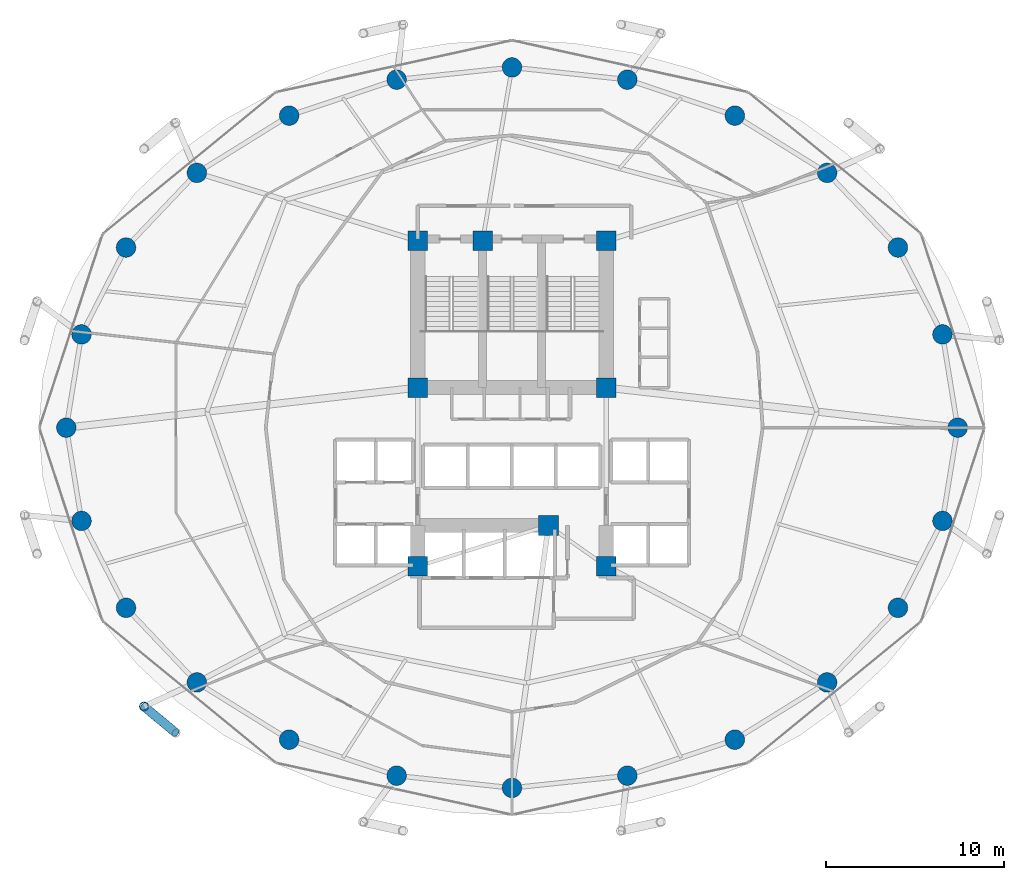
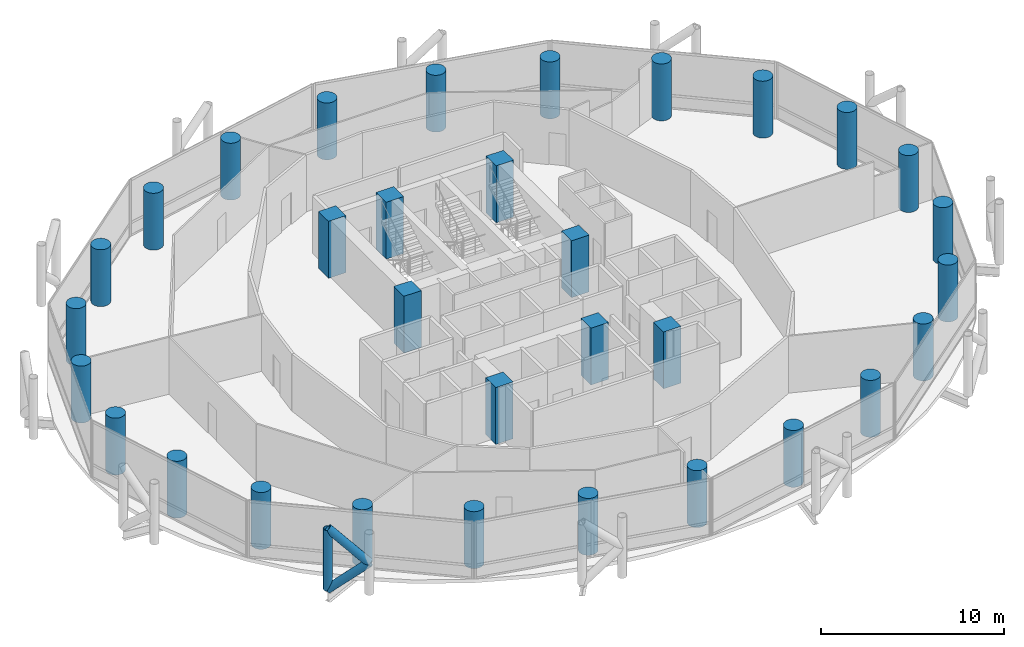
# One storey, part 1 of 25: 32 columns, 3 members.
"""IFC4 building model written with IfcOpenShell, lengths in metres."""

from ifc_helpers import new_model, si_unit, direction, frame, origin, origin_2d, place, context, subcontext, project, spatial, rectangle, circle, hollow_circle, extrude, material, material_profile, profile_set, type_object, element, save


model = new_model("IFC4")

# Units and contexts
model_context = context("Model", 3, precision=1e-05, world=origin(), true_north=direction((0.0, 1.0)))
body_context = subcontext(model_context, "Body", "Model", "MODEL_VIEW")
ifc_project = project(units=[si_unit("LENGTHUNIT", "METRE"), si_unit("AREAUNIT", "SQUARE_METRE"), si_unit("VOLUMEUNIT", "CUBIC_METRE"), si_unit("PLANEANGLEUNIT", "RADIAN"), si_unit("MASSUNIT", "GRAM", prefix="KILO")], contexts=[model_context])

# Site, building, storey
site_placement = place(None, origin())
site = spatial("IfcSite", under=ifc_project, at=site_placement, CompositionType="ELEMENT")
building_placement = place(site_placement, origin())
building = spatial("IfcBuilding", under=site, at=building_placement, Name="Nuhasar Tower", CompositionType="ELEMENT")
storey_placement = place(building_placement, frame((0.0, 0.0, 61.5)))
storey = spatial("IfcBuildingStorey", under=building, at=storey_placement, Name="L14", CompositionType="ELEMENT", Elevation=61.5)

# Columns
ifc_material_1 = material(Name="Concrete C80/95", Category="concrete")
ifc_material_profile_1 = material_profile(ifc_material_1, circle(Radius=0.550048828125, at=origin_2d()), Name="CFT1100")
ifc_profile_set_1 = profile_set([ifc_material_profile_1], Name="Concrete C80/95")
column_type_1 = type_object("IfcColumnType", Name="COL-CFT-1100", PredefinedType="COLUMN", material=ifc_profile_set_1)
for number, where, z_axis, x_axis, name in (
    (1, (64.050048828125, 26.800048828125, 0.0), (0.0, 0.0, 1.0), (1.0, 0.0, 0.0), "L14 Perimeter Composite Column TC-01"),
    (2, (63.196044921875, 32.041015625, 0.0), (0.0, 0.0, 1.0), (1.0, 0.0, 0.0), "L14 Perimeter Composite Column TC-02"),
    (3, (60.694091796875, 36.925048828125, 0.0), (0.0, 0.0, 1.0), (1.0, 0.0, 0.0), "L14 Perimeter Composite Column TC-03"),
    (4, (56.712890625, 41.118896484375, 0.0), (0.0, 0.0, 1.0), (1.0, 0.0, 0.0), "L14 Perimeter Composite Column TC-04"),
    (5, (51.52490234375, 44.3369140625, 0.0), (0.0, 0.0, 1.0), (1.0, 0.0, 0.0), "L14 Perimeter Composite Column TC-05"),
    (6, (45.48291015625, 46.360107421875, 0.0), (0.0, 0.0, 1.0), (1.0, 0.0, 0.0), "L14 Perimeter Composite Column TC-06"),
    (7, (39.0, 47.050048828125, 0.0), (0.0, 0.0, 1.0), (1.0, 0.0, 0.0), "L14 Perimeter Composite Column TC-07"),
    (8, (32.51708984375, 46.360107421875, 0.0), (0.0, 0.0, 1.0), (1.0, 0.0, 0.0), "L14 Perimeter Composite Column TC-08"),
    (9, (26.47509765625, 44.3369140625, 0.0), (0.0, 0.0, 1.0), (1.0, 0.0, 0.0), "L14 Perimeter Composite Column TC-09"),
    (10, (21.287109375, 41.118896484375, 0.0), (0.0, 0.0, 1.0), (1.0, 0.0, 0.0), "L14 Perimeter Composite Column TC-10"),
    (11, (17.305908203125, 36.925048828125, 0.0), (0.0, 0.0, 1.0), (1.0, 0.0, 0.0), "L14 Perimeter Composite Column TC-11"),
    (12, (14.803955078125, 32.041015625, 0.0), (0.0, 0.0, 1.0), (1.0, 0.0, 0.0), "L14 Perimeter Composite Column TC-12"),
    (13, (13.949951171875, 26.800048828125, 0.0), (0.0, 0.0, 1.0), (1.0, 0.0, 0.0), "L14 Perimeter Composite Column TC-13"),
    (14, (14.803955078125, 21.55908203125, 0.0), (0.0, 0.0, 1.0), (1.0, 0.0, 0.0), "L14 Perimeter Composite Column TC-14"),
    (15, (17.305908203125, 16.675048828125, 0.0), (0.0, 0.0, 1.0), (1.0, 0.0, 0.0), "L14 Perimeter Composite Column TC-15"),
    (16, (21.287109375, 12.48095703125, 0.0), (0.0, 0.0, 1.0), (1.0, 0.0, 0.0), "L14 Perimeter Composite Column TC-16"),
    (17, (26.47509765625, 9.262939453125, 0.0), (0.0, 0.0, 1.0), (1.0, 0.0, 0.0), "L14 Perimeter Composite Column TC-17"),
    (18, (32.51708984375, 7.239990234375, 0.0), (0.0, 0.0, 1.0), (1.0, 0.0, 0.0), "L14 Perimeter Composite Column TC-18"),
    (19, (39.0, 6.550048828125, 0.0), (0.0, 0.0, 1.0), (1.0, 0.0, 0.0), "L14 Perimeter Composite Column TC-19"),
    (20, (45.48291015625, 7.239990234375, 0.0), (0.0, 0.0, 1.0), (1.0, 0.0, 0.0), "L14 Perimeter Composite Column TC-20"),
    (21, (51.52490234375, 9.262939453125, 0.0), (0.0, 0.0, 1.0), (1.0, 0.0, 0.0), "L14 Perimeter Composite Column TC-21"),
    (22, (56.712890625, 12.48095703125, 0.0), (0.0, 0.0, 1.0), (1.0, 0.0, 0.0), "L14 Perimeter Composite Column TC-22"),
    (23, (60.694091796875, 16.675048828125, 0.0), (0.0, 0.0, 1.0), (1.0, 0.0, 0.0), "L14 Perimeter Composite Column TC-23"),
    (24, (63.196044921875, 21.55908203125, 0.0), (0.0, 0.0, 1.0), (1.0, 0.0, 0.0), "L14 Perimeter Composite Column TC-24"),
):
    element("IfcColumn", number, at=place(storey_placement, frame(where, z_axis=z_axis, x_axis=x_axis)), inside=storey, type_object=column_type_1, Name=name, PredefinedType="COLUMN", context=body_context, shape_type="SweptSolid", body=[
        extrude(circle(Radius=0.550048828125, at=origin_2d()), origin(), (0.0, 0.0, 1.0), 3.800048828125),
    ])
ifc_material_profile_2 = material_profile(ifc_material_1, rectangle(XDim=1.10009765625, YDim=1.10009765625, at=origin_2d()), Name="RC1100X1100")
ifc_profile_set_2 = profile_set([ifc_material_profile_2], Name="Concrete C80/95")
column_type_2 = type_object("IfcColumnType", Name="PIL-RC-1100", PredefinedType="PILASTER", material=ifc_profile_set_2)
for number, where, z_axis, x_axis, name in (
    (25, (33.699951171875, 19.0, 0.0), (0.0, 0.0, 1.0), (1.0, 0.0, 0.0), "L14 Core Boundary Pilaster CC-01"),
    (26, (41.050048828125, 21.300048828125, 0.0), (0.0, 0.0, 1.0), (1.0, 0.0, 0.0), "L14 Core Boundary Pilaster CC-02"),
    (27, (44.300048828125, 19.0, 0.0), (0.0, 0.0, 1.0), (1.0, 0.0, 0.0), "L14 Core Boundary Pilaster CC-03"),
    (28, (44.300048828125, 29.050048828125, 0.0), (0.0, 0.0, 1.0), (1.0, 0.0, 0.0), "L14 Core Boundary Pilaster CC-04"),
    (29, (44.300048828125, 37.300048828125, 0.0), (0.0, 0.0, 1.0), (1.0, 0.0, 0.0), "L14 Core Boundary Pilaster CC-05"),
    (30, (37.35009765625, 37.300048828125, 0.0), (0.0, 0.0, 1.0), (1.0, 0.0, 0.0), "L14 Core Boundary Pilaster CC-06"),
    (31, (33.699951171875, 37.300048828125, 0.0), (0.0, 0.0, 1.0), (1.0, 0.0, 0.0), "L14 Core Boundary Pilaster CC-07"),
    (32, (33.699951171875, 29.050048828125, 0.0), (0.0, 0.0, 1.0), (1.0, 0.0, 0.0), "L14 Core Boundary Pilaster CC-08"),
):
    element("IfcColumn", number, at=place(storey_placement, frame(where, z_axis=z_axis, x_axis=x_axis)), inside=storey, type_object=column_type_2, Name=name, PredefinedType="PILASTER", context=body_context, shape_type="SweptSolid", body=[
        extrude(rectangle(XDim=1.10009765625, YDim=1.10009765625, at=origin_2d()), origin(), (0.0, 0.0, 1.0), 3.800048828125),
    ])

# Members
ifc_material_2 = material(Name="Steel S460", Category="steel")
ifc_material_profile_3 = material_profile(ifc_material_2, hollow_circle(Radius=0.25390625, WallThickness=0.025390625, at=origin_2d()), Name="HSS508X25.4")
ifc_profile_set_3 = profile_set([ifc_material_profile_3], Name="Steel S460")
member_type = type_object("IfcMemberType", Name="EXO-BRONZE-508", PredefinedType="BRACE", material=ifc_profile_set_3)
member_1_placement = place(storey_placement, frame((18.31494140625, 11.12890625, 0.0), z_axis=(0.0, 0.0, 1.0), x_axis=(1.0, 0.0, 0.0)))
element("IfcMember", 33, at=member_1_placement, inside=storey, type_object=member_type, Name="L14 Exoskeleton Chord Column EC-08A", PredefinedType="BRACE", context=body_context, shape_type="SweptSolid", body=[
    extrude(hollow_circle(Radius=0.25390625, WallThickness=0.025390625, at=origin_2d()), origin(), (0.0, 0.0, 1.0), 4.050048828125),
])
member_2_placement = place(storey_placement, frame((18.31494140625, 11.12890625, 0.0), z_axis=(0.578101613167, -0.478937034992, 0.660619286251), x_axis=(0.637969333506, 0.770061769929, 0.0)))
element("IfcMember", 34, at=member_2_placement, inside=storey, type_object=member_type, Name="L14 Bronze Diagrid Brace W1-08", PredefinedType="BRACE", context=body_context, shape_type="SweptSolid", body=[
    extrude(hollow_circle(Radius=0.25390625, WallThickness=0.025390625, at=origin_2d()), origin(), (0.0, 0.0, 1.0), 3.065185546875),
])
member_3_placement = place(storey_placement, frame((20.0869140625, 9.660888671875, 2.02490234375), z_axis=(-0.578071194894, 0.478911834514, 0.660664172175), x_axis=(-0.637969333506, -0.770061769929, 0.0)))
element("IfcMember", 35, at=member_3_placement, inside=storey, type_object=member_type, Name="L14 Bronze Diagrid Brace W2-08", PredefinedType="BRACE", context=body_context, shape_type="SweptSolid", body=[
    extrude(hollow_circle(Radius=0.25390625, WallThickness=0.025390625, at=origin_2d()), origin(), (0.0, 0.0, 1.0), 3.0654296875),
])

save(model, "model.ifc")
